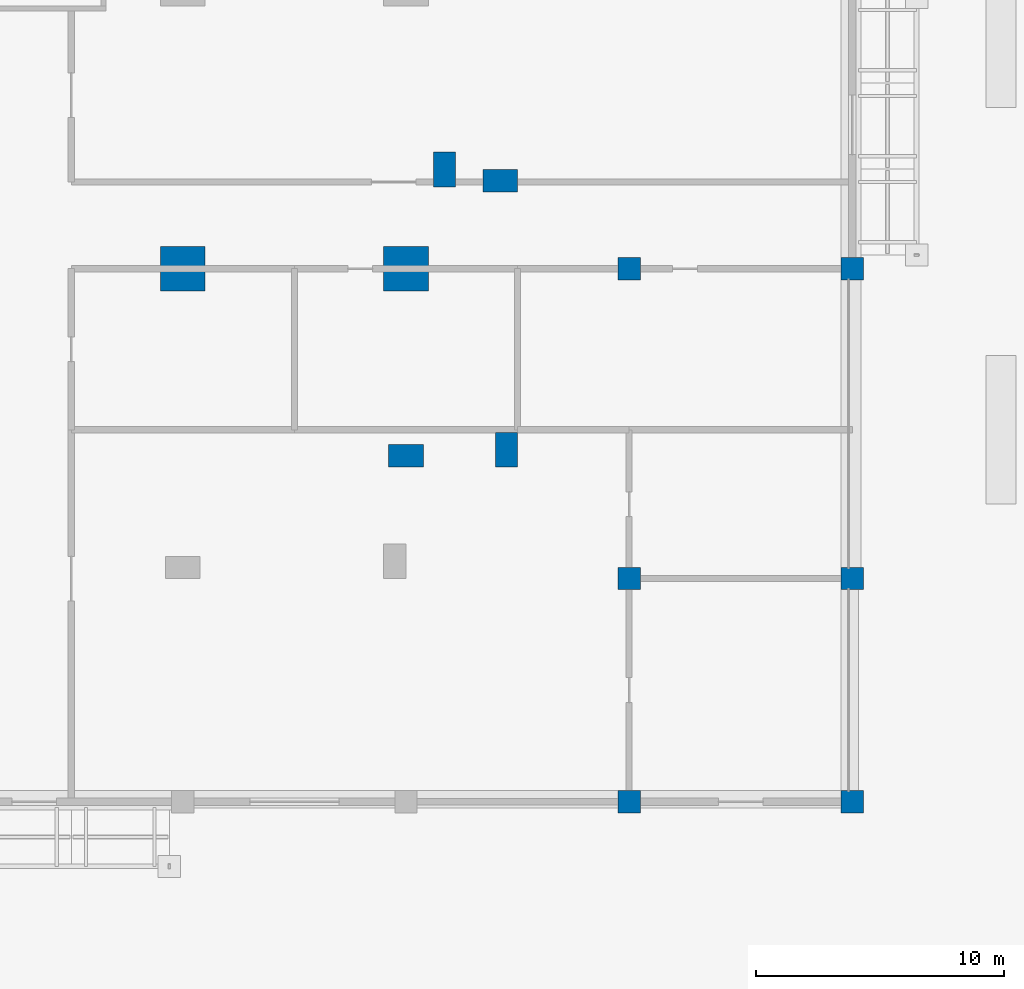
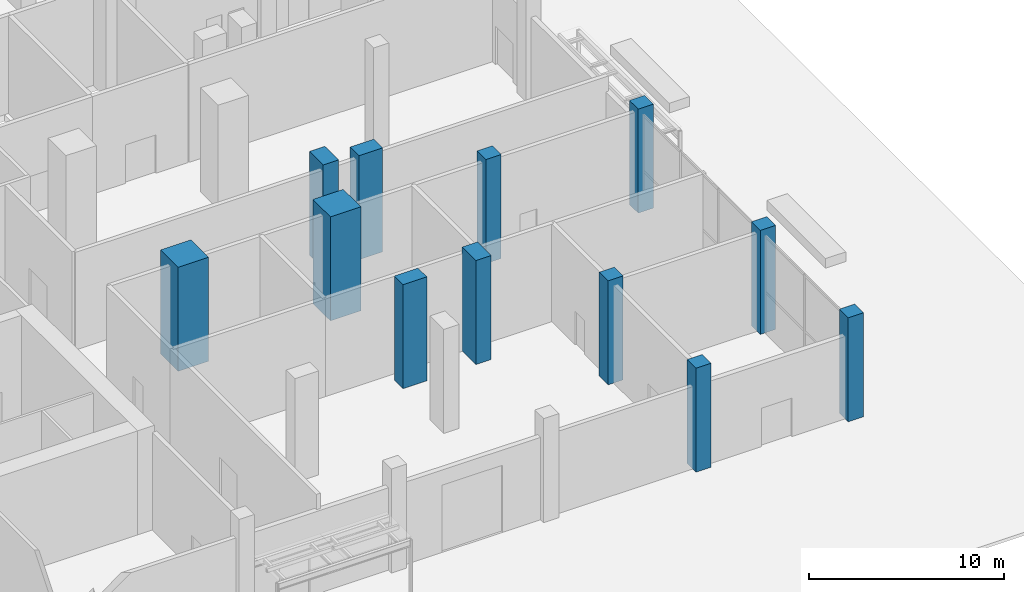
# One storey, part 11 of 39: 12 columns.
"""IFC4 building model written with IfcOpenShell, lengths in metres."""

from ifc_helpers import new_model, si_unit, direction, frame, origin, origin_2d, place, context, subcontext, project, spatial, rectangle, extrude, material, material_profile, profile_set, type_object, element, save


model = new_model("IFC4")

# Units and contexts
model_context = context("Model", 3, precision=1e-05, world=origin(), true_north=direction((0.0, 1.0)))
body_context = subcontext(model_context, "Body", "Model", "MODEL_VIEW")
ifc_project = project(units=[si_unit("LENGTHUNIT", "METRE"), si_unit("AREAUNIT", "SQUARE_METRE"), si_unit("VOLUMEUNIT", "CUBIC_METRE"), si_unit("PLANEANGLEUNIT", "RADIAN"), si_unit("MASSUNIT", "GRAM", prefix="KILO")], contexts=[model_context])

# Site, building, storey
site_placement = place(None, origin())
site = spatial("IfcSite", under=ifc_project, at=site_placement, CompositionType="ELEMENT")
building_placement = place(site_placement, origin())
building = spatial("IfcBuilding", under=site, at=building_placement, Name="Brigalow Station Residences", CompositionType="ELEMENT")
storey_placement = place(building_placement, origin())
storey = spatial("IfcBuildingStorey", under=building, at=storey_placement, Name="L00", CompositionType="ELEMENT", Elevation=0.0)

# Columns
ifc_material_1 = material(Name="Concrete C80", Category="concrete")
ifc_material_profile_1 = material_profile(ifc_material_1, rectangle(XDim=1.800048828125, YDim=1.800048828125, at=origin_2d()), Name="RC1800x1800")
ifc_profile_set_1 = profile_set([ifc_material_profile_1], Name="Concrete C80")
column_type_1 = type_object("IfcColumnType", Name="COLUMN 1800x1800 C80", PredefinedType="COLUMN", material=ifc_profile_set_1)
for number, where, z_axis, x_axis, name in (
    (1, (63.0, 12.5, 0.0), (0.0, 0.0, 1.0), (1.0, 0.0, 0.0), "COLUMN B7 L00"),
    (2, (72.0, 12.5, 0.0), (0.0, 0.0, 1.0), (1.0, 0.0, 0.0), "COLUMN B8 L00"),
):
    element("IfcColumn", number, at=place(storey_placement, frame(where, z_axis=z_axis, x_axis=x_axis)), inside=storey, type_object=column_type_1, Name=name, PredefinedType="COLUMN", context=body_context, shape_type="SweptSolid", body=[
        extrude(rectangle(XDim=1.800048828125, YDim=1.800048828125, at=origin_2d()), origin(), (0.0, 0.0, 1.0), 6.5),
    ])
ifc_material_2 = material(Name="Concrete C50", Category="concrete")
ifc_material_profile_2 = material_profile(ifc_material_2, rectangle(XDim=0.89990234375, YDim=0.89990234375, at=origin_2d()), Name="RC900x900")
ifc_profile_set_2 = profile_set([ifc_material_profile_2], Name="Concrete C50")
column_type_2 = type_object("IfcColumnType", Name="COLUMN 900x900 C50", PredefinedType="COLUMN", material=ifc_profile_set_2)
for number, where, z_axis, x_axis, name in (
    (3, (81.0, -9.0, 0.0), (0.0, 0.0, 1.0), (1.0, 0.0, 0.0), "COLUMN Z9 L00"),
    (4, (81.0, 0.0, 0.0), (0.0, 0.0, 1.0), (1.0, 0.0, 0.0), "COLUMN A9 L00"),
    (5, (81.0, 12.5, 0.0), (0.0, 0.0, 1.0), (1.0, 0.0, 0.0), "COLUMN B9 L00"),
    (6, (90.0, -9.0, 0.0), (0.0, 0.0, 1.0), (1.0, 0.0, 0.0), "COLUMN Z10 L00"),
    (7, (90.0, 0.0, 0.0), (0.0, 0.0, 1.0), (1.0, 0.0, 0.0), "COLUMN A10 L00"),
    (8, (90.0, 12.5, 0.0), (0.0, 0.0, 1.0), (1.0, 0.0, 0.0), "COLUMN B10 L00"),
):
    element("IfcColumn", number, at=place(storey_placement, frame(where, z_axis=z_axis, x_axis=x_axis)), inside=storey, type_object=column_type_2, Name=name, PredefinedType="COLUMN", context=body_context, shape_type="SweptSolid", body=[
        extrude(rectangle(XDim=0.89990234375, YDim=0.89990234375, at=origin_2d()), origin(), (0.0, 0.0, 1.0), 6.5),
    ])
ifc_material_3 = material(Name="Concrete C80", Category="concrete")
ifc_material_profile_3 = material_profile(ifc_material_3, rectangle(XDim=1.39990234375, YDim=0.89990234375, at=origin_2d()), Name="RC1400x900")
ifc_profile_set_3 = profile_set([ifc_material_profile_3], Name="Concrete C80")
column_type_3 = type_object("IfcColumnType", Name="PIER 1400x900 C80", PredefinedType="USERDEFINED", material=ifc_profile_set_3)
for number, where, z_axis, x_axis, name in (
    (9, (72.0, 4.949951171875, 0.0), (0.0, 0.0, 1.0), (1.0, 0.0, 0.0), "PIER SE2-1 L00"),
    (10, (76.050048828125, 5.199951171875, 0.0), (0.0, 0.0, 1.0), (0.0, 1.0, 0.0), "PIER E1-1 L00"),
    (11, (75.800048828125, 16.050048828125, 0.0), (0.0, 0.0, 1.0), (-1.0, 0.0, 0.0), "PIER EL1-1 L00"),
    (12, (73.550048828125, 16.5, 0.0), (0.0, 0.0, 1.0), (0.0, 1.0, 0.0), "PIER EL2-1 L00"),
):
    element("IfcColumn", number, at=place(storey_placement, frame(where, z_axis=z_axis, x_axis=x_axis)), inside=storey, type_object=column_type_3, Name=name, ObjectType="PIER", PredefinedType="USERDEFINED", context=body_context, shape_type="SweptSolid", body=[
        extrude(rectangle(XDim=1.39990234375, YDim=0.89990234375, at=origin_2d()), origin(), (0.0, 0.0, 1.0), 6.5),
    ])

save(model, "model.ifc")
